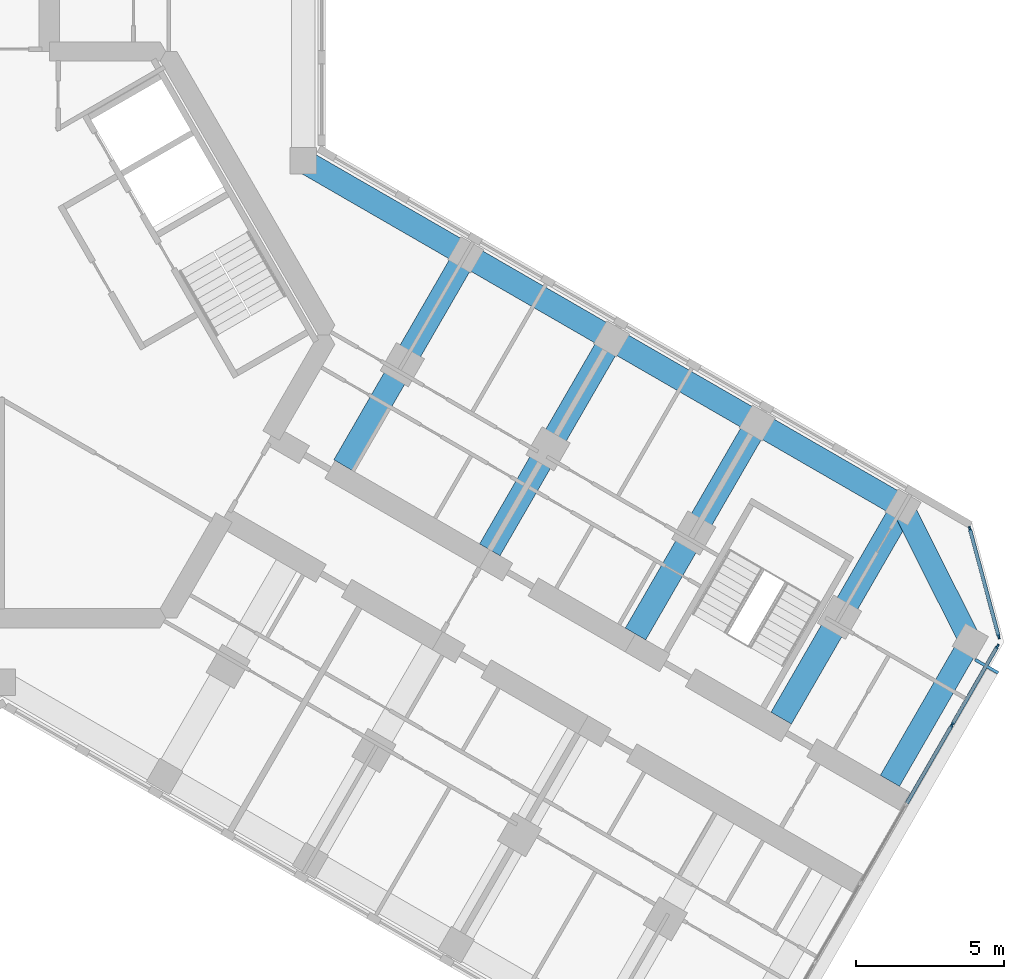
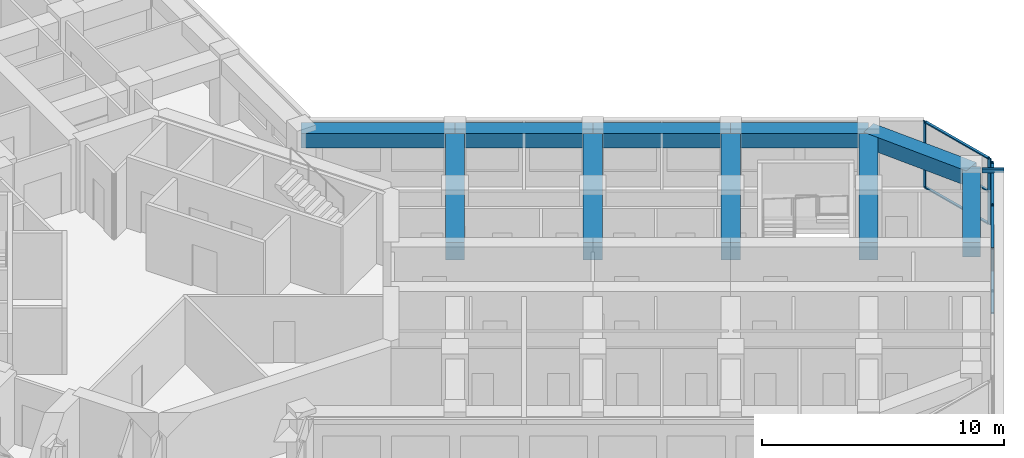
# One storey, part 5 of 16: 12 members, 10 beams, 2 elements without a shape of their own.
"""IFC4 building model written with IfcOpenShell, lengths in metres."""

import ifcopenshell
import ifcopenshell.guid

model = None  # the IFC model being written
_history = None  # IfcOwnerHistory: only IFC2X3 demands one
_inside = {}  # id of a spatial element -> (the spatial element, [elements in it])
_under = {}  # id of a project, library or spatial element -> (it, [spatial elements below it])
_declared = {}  # id of a project -> (the project, [libraries it declares])
_typed = {}  # id of a type object -> (the type object, [elements of that type])
_made_of = {}  # id of a material, layer set ... -> (it, [elements and type objects made of it])


def new_model(schema):
    """Start an empty IFC model of exactly this schema.

    Asked for "IFC4X3", IfcOpenShell would pick the latest addendum, in which some entities
    have other attributes; the version numbers below select the first issue.
    IFC2X3 requires an IfcOwnerHistory on every rooted entity: one is made here for all.
    """
    global model, _history
    if schema == "IFC4X3":
        model = ifcopenshell.file(schema_version=(4, 3, 0, 0))
    else:
        model = ifcopenshell.file(schema=schema)
    _inside.clear()
    _under.clear()
    _declared.clear()
    _typed.clear()
    _made_of.clear()
    _history = None
    if model.schema == "IFC2X3":
        org = make("IfcOrganization", Name="unknown")
        user = make(
            "IfcPersonAndOrganization",
            ThePerson=make("IfcPerson", FamilyName="unknown"),
            TheOrganization=org,
        )
        app = make(
            "IfcApplication",
            ApplicationDeveloper=org,
            Version="unknown",
            ApplicationFullName="unknown",
            ApplicationIdentifier="unknown",
        )
        _history = make(
            "IfcOwnerHistory",
            OwningUser=user,
            OwningApplication=app,
            ChangeAction="ADDED",
            CreationDate=0,
        )
    return model


def make(cls, **values):
    """One entity of the class cls with the attributes given. An attribute that is None is left unset."""
    return model.create_entity(
        cls, **{name: value for name, value in values.items() if value is not None}
    )


def rooted(cls, **values):
    """An entity with a GlobalId (a new one), such as an element, a storey or a relation."""
    return make(cls, GlobalId=ifcopenshell.guid.new(), OwnerHistory=_history, **values)


def si_unit(unit_type, name, prefix=None):
    """IfcSIUnit, for example si_unit("LENGTHUNIT", "METRE", prefix="MILLI")."""
    return make("IfcSIUnit", UnitType=unit_type, Prefix=prefix, Name=name)


def assignment(units):
    """IfcUnitAssignment: the units of a project."""
    return None if units is None else make("IfcUnitAssignment", Units=units)


def point(xyz):
    """IfcCartesianPoint."""
    return None if xyz is None else make("IfcCartesianPoint", Coordinates=xyz)


def direction(xyz):
    """IfcDirection."""
    return None if xyz is None else make("IfcDirection", DirectionRatios=xyz)


def frame(location, z_axis=None, x_axis=None):
    """IfcAxis2Placement3D, a coordinate frame: its origin and axes. An axis left out is left unset."""
    return make(
        "IfcAxis2Placement3D",
        Location=point(location),
        Axis=direction(z_axis),
        RefDirection=direction(x_axis),
    )


def frame_2d(location, x_axis=None):
    """IfcAxis2Placement2D, a coordinate frame in the plane: its origin and x axis."""
    return make(
        "IfcAxis2Placement2D", Location=point(location), RefDirection=direction(x_axis)
    )


def origin():
    """The frame at (0, 0, 0) with its axes left unset."""
    return frame((0.0, 0.0, 0.0))


def origin_2d():
    """The frame at (0, 0) in the plane with its x axis left unset."""
    return frame_2d((0.0, 0.0))


def place(relative_to, where):
    """IfcLocalPlacement: puts the frame where relative to a parent placement (None: the world)."""
    return make(
        "IfcLocalPlacement", PlacementRelTo=relative_to, RelativePlacement=where
    )


def context(
    kind, dimensions, precision=None, world=None, true_north=None, identifier=None
):
    """IfcGeometricRepresentationContext, for example the 3D "Model" context."""
    return make(
        "IfcGeometricRepresentationContext",
        ContextIdentifier=identifier,
        ContextType=kind,
        CoordinateSpaceDimension=dimensions,
        Precision=precision,
        WorldCoordinateSystem=world,
        TrueNorth=true_north,
    )


def subcontext(parent, identifier, kind, view, scale=None):
    """IfcGeometricRepresentationSubContext, for example "Body" below "Model"."""
    return make(
        "IfcGeometricRepresentationSubContext",
        ContextIdentifier=identifier,
        ContextType=kind,
        ParentContext=parent,
        TargetScale=scale,
        TargetView=view,
    )


def project(units=None, contexts=None):
    """IfcProject with its units and contexts."""
    return rooted(
        "IfcProject",
        Name="project",
        RepresentationContexts=contexts,
        UnitsInContext=assignment(units),
    )


def spatial(cls, under=None, at=None, **own):
    """A site, building, storey or space (cls), placed at a placement, below another one or the project."""
    s = rooted(cls, ObjectPlacement=at, **own)
    if under is not None:
        _under.setdefault(under.id(), (under, []))[1].append(s)
    return s


def profile(cls, at=None, kind="AREA", **sizes):
    """A parametric profile (cls). Its sizes go by their IFC names, for example OverallWidth=200.0."""
    return make(cls, ProfileType=kind, Position=at, **sizes)


def rectangle(**sizes):
    """IfcRectangleProfileDef."""
    return profile("IfcRectangleProfileDef", **sizes)


def hollow_rectangle(**sizes):
    """IfcRectangleHollowProfileDef."""
    return profile("IfcRectangleHollowProfileDef", **sizes)


def extrude(swept, where, along, depth):
    """IfcExtrudedAreaSolid: the profile swept, set in the frame where, extruded along a direction by depth."""
    return make(
        "IfcExtrudedAreaSolid",
        SweptArea=swept,
        Position=where,
        ExtrudedDirection=direction(along),
        Depth=depth,
    )


def shape(context_of_items, identifier, shape_type, items):
    """IfcShapeRepresentation: the items that make up one representation, for example the "Body"."""
    return make(
        "IfcShapeRepresentation",
        ContextOfItems=context_of_items,
        RepresentationIdentifier=identifier,
        RepresentationType=shape_type,
        Items=items,
    )


def material(Name=None, Category=None):
    """IfcMaterial."""
    return make("IfcMaterial", Name=Name, Category=Category)


def material_profile(
    of_material, cross_section, Name=None, Category=None, Priority=None
):
    """IfcMaterialProfile: a cross section and its material."""
    return make(
        "IfcMaterialProfile",
        Name=Name,
        Material=of_material,
        Profile=cross_section,
        Priority=Priority,
        Category=Category,
    )


def profile_set(profiles, Name=None, composite=None):
    """IfcMaterialProfileSet."""
    return make(
        "IfcMaterialProfileSet",
        Name=Name,
        MaterialProfiles=profiles,
        CompositeProfile=composite,
    )


def made_of(thing, what):
    """Note that an element or type object is made of a material, layer set ...; save() writes the relation."""
    if what is not None:
        _made_of.setdefault(what.id(), (what, []))[1].append(thing)
    return thing


def type_object(cls, material=None, **own):
    """A type object (cls), such as IfcWallType, which elements share."""
    return made_of(rooted(cls, **own), material)


def element(
    cls,
    number,
    at=None,
    inside=None,
    cuts=None,
    type_object=None,
    material=None,
    context=None,
    identifier="Body",
    shape_type=None,
    held_by="IfcProductDefinitionShape",
    body=None,
    shapes=None,
    **own,
):
    """One element of the class cls, such as IfcWall. Its Tag is "e" and its number.

    at: its placement. inside: the storey or other place that contains it. cuts: it is an
    opening in that element (IfcRelVoidsElement). A single representation is given by context,
    identifier, shape_type and body (its items); several are given by shapes. held_by: the class
    of the entity that holds the representations. save() writes the other relations.
    """
    e = rooted(cls, Tag="e%d" % number, ObjectPlacement=at, **own)
    if body is not None:
        shapes = [shape(context, identifier, shape_type, body)]
    if shapes is not None:
        e.Representation = make(held_by, Representations=shapes)
    if inside is not None:
        _inside.setdefault(inside.id(), (inside, []))[1].append(e)
    if cuts is not None:
        rooted(
            "IfcRelVoidsElement", RelatingBuildingElement=cuts, RelatedOpeningElement=e
        )
    if type_object is not None:
        _typed.setdefault(type_object.id(), (type_object, []))[1].append(e)
    return made_of(e, material)


def aggregate(whole, parts):
    """IfcRelAggregates: a whole, such as a stair, and the parts it consists of."""
    return rooted("IfcRelAggregates", RelatingObject=whole, RelatedObjects=parts)


def save(model, path):
    """Write the relations noted so far, then the file.

    IfcRelAggregates (storeys below a building ...), IfcRelContainedInSpatialStructure (elements
    in a storey), IfcRelDefinesByType, IfcRelAssociatesMaterial and IfcRelDeclares: one each for
    every whole, place, type object, material and project.
    """
    for whole, parts in _under.values():
        aggregate(whole, parts)
    for where, things in _inside.values():
        rooted(
            "IfcRelContainedInSpatialStructure",
            RelatedElements=things,
            RelatingStructure=where,
        )
    for kind, things in _typed.values():
        rooted("IfcRelDefinesByType", RelatedObjects=things, RelatingType=kind)
    for what, things in _made_of.values():
        rooted("IfcRelAssociatesMaterial", RelatedObjects=things, RelatingMaterial=what)
    for by, libraries in _declared.values():
        rooted("IfcRelDeclares", RelatingContext=by, RelatedDefinitions=libraries)
    model.write(path)


model = new_model("IFC4")

# Units and contexts
model_context = context("Model", 3, precision=1e-05, world=origin(), true_north=direction((0.0, 1.0)))
body_context = subcontext(model_context, "Body", "Model", "MODEL_VIEW")
ifc_project = project(units=[si_unit("LENGTHUNIT", "METRE"), si_unit("AREAUNIT", "SQUARE_METRE"), si_unit("VOLUMEUNIT", "CUBIC_METRE"), si_unit("PLANEANGLEUNIT", "RADIAN"), si_unit("MASSUNIT", "GRAM", prefix="KILO")], contexts=[model_context])

# Site, building, storey
site_placement = place(None, origin())
site = spatial("IfcSite", under=ifc_project, at=site_placement, CompositionType="ELEMENT")
building_placement = place(site_placement, origin())
building = spatial("IfcBuilding", under=site, at=building_placement, Name="Kosmar Iwan School Tower", CompositionType="ELEMENT")
storey_placement = place(building_placement, frame((0.0, 0.0, 222.60009765625)))
storey = spatial("IfcBuildingStorey", under=building, at=storey_placement, Name="L56", CompositionType="ELEMENT", Elevation=222.60009765625)

# Member
ifc_material_1 = material(Name="Steel S355", Category="steel")
ifc_material_profile_1 = material_profile(ifc_material_1, hollow_rectangle(XDim=0.10009765625, YDim=0.199951171875, WallThickness=0.008056640625, at=origin_2d()), Name="RHS 200x100x8")
ifc_profile_set_1 = profile_set([ifc_material_profile_1], Name="Steel S355")
member_type_1 = type_object("IfcMemberType", Name="Fin bracket RHS 200x100", PredefinedType="USERDEFINED", material=ifc_profile_set_1)
member_1_placement = place(storey_placement, frame((32.963134765625, -11.006103515625, 3.474853515625), z_axis=(0.866081705922, -0.499902469156, 0.0), x_axis=(0.499902469156, 0.866081705922, 0.0)))
element("IfcMember", 1, at=member_1_placement, inside=storey, type_object=member_type_1, Name="Fin bracket L57", ObjectType="FIN BRACKET", PredefinedType="USERDEFINED", context=body_context, shape_type="SweptSolid", body=[
    extrude(hollow_rectangle(XDim=0.10009765625, YDim=0.199951171875, WallThickness=0.008056640625, at=origin_2d()), origin(), (0.0, 0.0, 1.0), 0.900146484375),
])

# Curtain wall, members
ifc_material_2 = material(Name="Dark glass in black aluminium frame", Category="aluminium")
curtain_wall_type_1 = type_object("IfcCurtainWallType", Name="Tower curtain wall dark glass", PredefinedType="USERDEFINED", material=ifc_material_2)
curtain_wall_1_placement = place(storey_placement, origin())
curtain_wall_1 = element("IfcCurtainWall", 2, at=curtain_wall_1_placement, inside=storey, type_object=curtain_wall_type_1, Name="Curtain wall L56-F01", ObjectType="UNITISED CURTAIN WALL", PredefinedType="USERDEFINED")
ifc_material_3 = material(Name="Black anodised aluminium", Category="aluminium")
ifc_material_profile_2 = material_profile(ifc_material_3, rectangle(XDim=0.06005859375, YDim=0.159912109375, at=origin_2d()), Name="MULLION 60x160")
ifc_profile_set_2 = profile_set([ifc_material_profile_2], Name="Black anodised aluminium")
member_type_2 = type_object("IfcMemberType", Name="Mullion 60x160", PredefinedType="MULLION", material=ifc_profile_set_2)
member_2_placement = place(storey_placement, frame((32.1806640625, -13.21142578125, 0.0), z_axis=(0.0, 0.0, 1.0), x_axis=(-0.866025405329, 0.499999997325, 0.0)))
member_2 = element("IfcMember", 3, at=member_2_placement, type_object=member_type_2, Name="CW1 mullion 5", PredefinedType="MULLION", context=body_context, shape_type="SweptSolid", body=[
    extrude(rectangle(XDim=0.06005859375, YDim=0.159912109375, at=origin_2d()), origin(), (0.0, 0.0, 1.0), 3.349853515625),
])
member_3_placement = place(storey_placement, frame((33.71533203125, -10.55322265625, 0.0), z_axis=(0.0, 0.0, 1.0), x_axis=(-0.866025405329, 0.499999997325, 0.0)))
member_3 = element("IfcMember", 4, at=member_3_placement, type_object=member_type_2, Name="CW1 mullion 6", PredefinedType="MULLION", context=body_context, shape_type="SweptSolid", body=[
    extrude(rectangle(XDim=0.06005859375, YDim=0.159912109375, at=origin_2d()), origin(), (0.0, 0.0, 1.0), 3.349853515625),
])

ifc_material_4 = material(Name="Dark glass in black aluminium frame", Category="aluminium")
curtain_wall_type_2 = type_object("IfcCurtainWallType", Name="Chamfer curtain wall dark glass", PredefinedType="USERDEFINED", material=ifc_material_4)
curtain_wall_2_placement = place(storey_placement, origin())
curtain_wall_2 = element("IfcCurtainWall", 5, at=curtain_wall_2_placement, inside=storey, type_object=curtain_wall_type_2, Name="Curtain wall L56-F02", ObjectType="FACETED CURTAIN WALL", PredefinedType="USERDEFINED")
member_4_placement = place(storey_placement, frame((33.7587890625, -10.2236328125, 0.0), z_axis=(0.0, 0.0, 1.0), x_axis=(-0.965925875495, -0.258818861462, 0.0)))
member_4 = element("IfcMember", 6, at=member_4_placement, type_object=member_type_2, Name="CW2 mullion 1", PredefinedType="MULLION", context=body_context, shape_type="SweptSolid", body=[
    extrude(rectangle(XDim=0.06005859375, YDim=0.159912109375, at=origin_2d()), origin(), (0.0, 0.0, 1.0), 3.349853515625),
])
member_5_placement = place(storey_placement, frame((32.78076171875, -6.5732421875, 0.0), z_axis=(0.0, 0.0, 1.0), x_axis=(-0.965925875495, -0.258818861462, 0.0)))
member_5 = element("IfcMember", 7, at=member_5_placement, type_object=member_type_2, Name="CW2 mullion 2", PredefinedType="MULLION", context=body_context, shape_type="SweptSolid", body=[
    extrude(rectangle(XDim=0.06005859375, YDim=0.159912109375, at=origin_2d()), origin(), (0.0, 0.0, 1.0), 3.349853515625),
])

# Beams
ifc_material_5 = material(Name="Concrete C50/60", Category="concrete")
ifc_material_profile_3 = material_profile(ifc_material_5, rectangle(XDim=0.800048828125, YDim=0.75, at=origin_2d()), Name="RC 800x750")
ifc_profile_set_3 = profile_set([ifc_material_profile_3], Name="Concrete C50/60")
beam_type_1 = type_object("IfcBeamType", Name="RC edge beam 800x750", PredefinedType="BEAM", material=ifc_profile_set_3)
beam_1_placement = place(storey_placement, frame((10.199951171875, 5.888916015625, 2.974853515625), z_axis=(0.866030912664, -0.49999045822, 0.0), x_axis=(0.49999045822, 0.866030912664, 0.0)))
element("IfcBeam", 8, at=beam_1_placement, inside=storey, type_object=beam_type_1, Name="Edge beam CL1", PredefinedType="BEAM", context=body_context, shape_type="SweptSolid", body=[
    extrude(rectangle(XDim=0.800048828125, YDim=0.75, at=origin_2d()), origin(), (0.0, 0.0, 1.0), 6.36083984375),
])
beam_2_placement = place(storey_placement, frame((15.708740234375, 2.70849609375, 2.974853515625), z_axis=(0.866025820012, -0.499999279071, 0.0), x_axis=(0.499999279071, 0.866025820012, 0.0)))
element("IfcBeam", 9, at=beam_2_placement, inside=storey, type_object=beam_type_1, Name="Edge beam CL2", PredefinedType="BEAM", context=body_context, shape_type="SweptSolid", body=[
    extrude(rectangle(XDim=0.800048828125, YDim=0.75, at=origin_2d()), origin(), (0.0, 0.0, 1.0), 5.7001953125),
])
for number, where, z_axis, x_axis, name in (
    (10, (20.645263671875, -0.1416015625, 2.974853515625), (0.866033658841, -0.49998570155, 0.0), (0.49998570155, 0.866033658841, 0.0), "Edge beam CL3"),
    (11, (25.58154296875, -2.991455078125, 2.974853515625), (0.866015111908, -0.50001782563, 0.0), (0.50001782563, 0.866015111908, 0.0), "Edge beam CL4"),
):
    element("IfcBeam", number, at=place(storey_placement, frame(where, z_axis=z_axis, x_axis=x_axis)), inside=storey, type_object=beam_type_1, Name=name, PredefinedType="BEAM", context=body_context, shape_type="SweptSolid", body=[
        extrude(rectangle(XDim=0.800048828125, YDim=0.75, at=origin_2d()), origin(), (0.0, 0.0, 1.0), 5.699951171875),
    ])
ifc_material_6 = material(Name="Concrete C50/60", Category="concrete")
ifc_material_profile_4 = material_profile(ifc_material_6, rectangle(XDim=0.75, YDim=0.75, at=origin_2d()), Name="RC 750x750")
ifc_profile_set_4 = profile_set([ifc_material_profile_4], Name="Concrete C50/60")
beam_type_2 = type_object("IfcBeamType", Name="RC tip beam 750x750", PredefinedType="BEAM", material=ifc_profile_set_4)
beam_3_placement = place(storey_placement, frame((30.517822265625, -5.841552734375, 2.974853515625), z_axis=(0.44809604203, -0.893985423325, 0.0), x_axis=(0.893985423325, 0.44809604203, 0.0)))
element("IfcBeam", 12, at=beam_3_placement, inside=storey, type_object=beam_type_2, Name="Tip beam CL", PredefinedType="BEAM", context=body_context, shape_type="SweptSolid", body=[
    extrude(rectangle(XDim=0.75, YDim=0.75, at=origin_2d()), origin(), (0.0, 0.0, 1.0), 5.08935546875),
])
beam_4_placement = place(storey_placement, frame((32.79833984375, -10.391357421875, 2.974853515625), z_axis=(-0.49996933381, -0.866043108194, 0.0), x_axis=(0.866043108194, -0.49996933381, 0.0)))
element("IfcBeam", 13, at=beam_4_placement, inside=storey, type_object=beam_type_2, Name="Tip beam CL to corridor wall", PredefinedType="BEAM", context=body_context, shape_type="SweptSolid", body=[
    extrude(rectangle(XDim=0.75, YDim=0.75, at=origin_2d()), origin(), (0.0, 0.0, 1.0), 5.449951171875),
])
ifc_material_7 = material(Name="Concrete C50/60", Category="concrete")
ifc_material_profile_5 = material_profile(ifc_material_7, rectangle(XDim=0.800048828125, YDim=0.89990234375, at=origin_2d()), Name="RC 800x900")
ifc_profile_set_5 = profile_set([ifc_material_profile_5], Name="Concrete C50/60")
beam_type_3 = type_object("IfcBeamType", Name="RC transverse beam 800x900", PredefinedType="BEAM", material=ifc_profile_set_5)
beam_5_placement = place(storey_placement, frame((15.708740234375, 2.70849609375, 2.89990234375), z_axis=(-0.499996545922, -0.866027397988, 0.0), x_axis=(0.866027397988, -0.499996545922, 0.0)))
element("IfcBeam", 14, at=beam_5_placement, inside=storey, type_object=beam_type_3, Name="Transverse beam CL1", PredefinedType="BEAM", context=body_context, shape_type="SweptSolid", body=[
    extrude(rectangle(XDim=0.800048828125, YDim=0.89990234375, at=origin_2d()), origin(), (0.0, 0.0, 1.0), 8.25),
])
beam_6_placement = place(storey_placement, frame((20.645263671875, -0.1416015625, 2.89990234375), z_axis=(-0.500009360108, -0.866019999656, 0.0), x_axis=(0.866019999656, -0.500009360108, 0.0)))
element("IfcBeam", 15, at=beam_6_placement, inside=storey, type_object=beam_type_3, Name="Transverse beam CL2", PredefinedType="BEAM", context=body_context, shape_type="SweptSolid", body=[
    extrude(rectangle(XDim=0.800048828125, YDim=0.89990234375, at=origin_2d()), origin(), (0.0, 0.0, 1.0), 8.249755859375),
])
for number, where, z_axis, x_axis, name in (
    (16, (25.58154296875, -2.991455078125, 2.89990234375), (-0.499996545922, -0.866027397988, 0.0), (0.866027397988, -0.499996545922, 0.0), "Transverse beam CL3"),
    (17, (30.517822265625, -5.841552734375, 2.89990234375), (-0.499996545922, -0.866027397988, 0.0), (0.866027397988, -0.499996545922, 0.0), "Transverse beam CL4"),
):
    element("IfcBeam", number, at=place(storey_placement, frame(where, z_axis=z_axis, x_axis=x_axis)), inside=storey, type_object=beam_type_3, Name=name, PredefinedType="BEAM", context=body_context, shape_type="SweptSolid", body=[
        extrude(rectangle(XDim=0.800048828125, YDim=0.89990234375, at=origin_2d()), origin(), (0.0, 0.0, 1.0), 8.25),
    ])

# Member
ifc_material_8 = material(Name="Black anodised aluminium", Category="aluminium")
ifc_material_profile_6 = material_profile(ifc_material_8, rectangle(XDim=0.1201171875, YDim=0.06005859375, at=origin_2d()), Name="TRANSOM 60x120")
ifc_profile_set_6 = profile_set([ifc_material_profile_6], Name="Black anodised aluminium")
member_type_3 = type_object("IfcMemberType", Name="Transom 60x120", PredefinedType="USERDEFINED", material=ifc_profile_set_6)
member_6_placement = place(storey_placement, frame((30.64599609375, -15.869384765625, 0.02978515625), z_axis=(0.500035348339, 0.866004994449, 0.0), x_axis=(-0.866004994449, 0.500035348339, 0.0)))
member_6 = element("IfcMember", 18, at=member_6_placement, type_object=member_type_3, Name="CW1 transom 4.1", ObjectType="TRANSOM", PredefinedType="USERDEFINED", context=body_context, shape_type="SweptSolid", body=[
    extrude(rectangle(XDim=0.1201171875, YDim=0.06005859375, at=origin_2d()), origin(), (0.0, 0.0, 1.0), 3.039306640625),
])

member_7_placement = place(storey_placement, frame((30.64599609375, -15.869384765625, 3.31982421875), z_axis=(0.500035348339, 0.866004994449, 0.0), x_axis=(-0.866004994449, 0.500035348339, 0.0)))
member_7 = element("IfcMember", 19, at=member_7_placement, type_object=member_type_3, Name="CW1 transom 4.2", ObjectType="TRANSOM", PredefinedType="USERDEFINED", context=body_context, shape_type="SweptSolid", body=[
    extrude(rectangle(XDim=0.1201171875, YDim=0.06005859375, at=origin_2d()), origin(), (0.0, 0.0, 1.0), 3.039306640625),
])

member_8_placement = place(storey_placement, frame((32.19580078125, -13.185302734375, 0.02978515625), z_axis=(0.500022102064, 0.866012642776, 0.0), x_axis=(-0.866012642776, 0.500022102064, 0.0)))
member_8 = element("IfcMember", 20, at=member_8_placement, type_object=member_type_3, Name="CW1 transom 5.1", ObjectType="TRANSOM", PredefinedType="USERDEFINED", context=body_context, shape_type="SweptSolid", body=[
    extrude(rectangle(XDim=0.1201171875, YDim=0.06005859375, at=origin_2d()), origin(), (0.0, 0.0, 1.0), 3.009033203125),
])

member_9_placement = place(storey_placement, frame((32.19580078125, -13.185302734375, 3.31982421875), z_axis=(0.500022102064, 0.866012642776, 0.0), x_axis=(-0.866012642776, 0.500022102064, 0.0)))
member_9 = element("IfcMember", 21, at=member_9_placement, type_object=member_type_3, Name="CW1 transom 5.2", ObjectType="TRANSOM", PredefinedType="USERDEFINED", context=body_context, shape_type="SweptSolid", body=[
    extrude(rectangle(XDim=0.1201171875, YDim=0.06005859375, at=origin_2d()), origin(), (0.0, 0.0, 1.0), 3.009033203125),
])

aggregate(curtain_wall_1, [member_2, member_3, member_6, member_7, member_8, member_9])

member_10_placement = place(storey_placement, frame((33.7509765625, -10.194580078125, 0.02978515625), z_axis=(-0.258843273983, 0.965919333854, 0.0), x_axis=(-0.965919333854, -0.258843273983, 0.0)))
member_10 = element("IfcMember", 22, at=member_10_placement, type_object=member_type_3, Name="CW2 transom 1.1", ObjectType="TRANSOM", PredefinedType="USERDEFINED", context=body_context, shape_type="SweptSolid", body=[
    extrude(rectangle(XDim=0.1201171875, YDim=0.06005859375, at=origin_2d()), origin(), (0.0, 0.0, 1.0), 3.718994140625),
])

member_11_placement = place(storey_placement, frame((33.7509765625, -10.194580078125, 1.6748046875), z_axis=(-0.258843273983, 0.965919333854, 0.0), x_axis=(-0.965919333854, -0.258843273983, 0.0)))
member_11 = element("IfcMember", 23, at=member_11_placement, type_object=member_type_3, Name="CW2 transom 1.2", ObjectType="TRANSOM", PredefinedType="USERDEFINED", context=body_context, shape_type="SweptSolid", body=[
    extrude(rectangle(XDim=0.1201171875, YDim=0.06005859375, at=origin_2d()), origin(), (0.0, 0.0, 1.0), 3.718994140625),
])

member_12_placement = place(storey_placement, frame((33.7509765625, -10.194580078125, 3.31982421875), z_axis=(-0.258843273983, 0.965919333854, 0.0), x_axis=(-0.965919333854, -0.258843273983, 0.0)))
member_12 = element("IfcMember", 24, at=member_12_placement, type_object=member_type_3, Name="CW2 transom 1.3", ObjectType="TRANSOM", PredefinedType="USERDEFINED", context=body_context, shape_type="SweptSolid", body=[
    extrude(rectangle(XDim=0.1201171875, YDim=0.06005859375, at=origin_2d()), origin(), (0.0, 0.0, 1.0), 3.718994140625),
])

aggregate(curtain_wall_2, [member_4, member_5, member_10, member_11, member_12])

save(model, "model.ifc")
